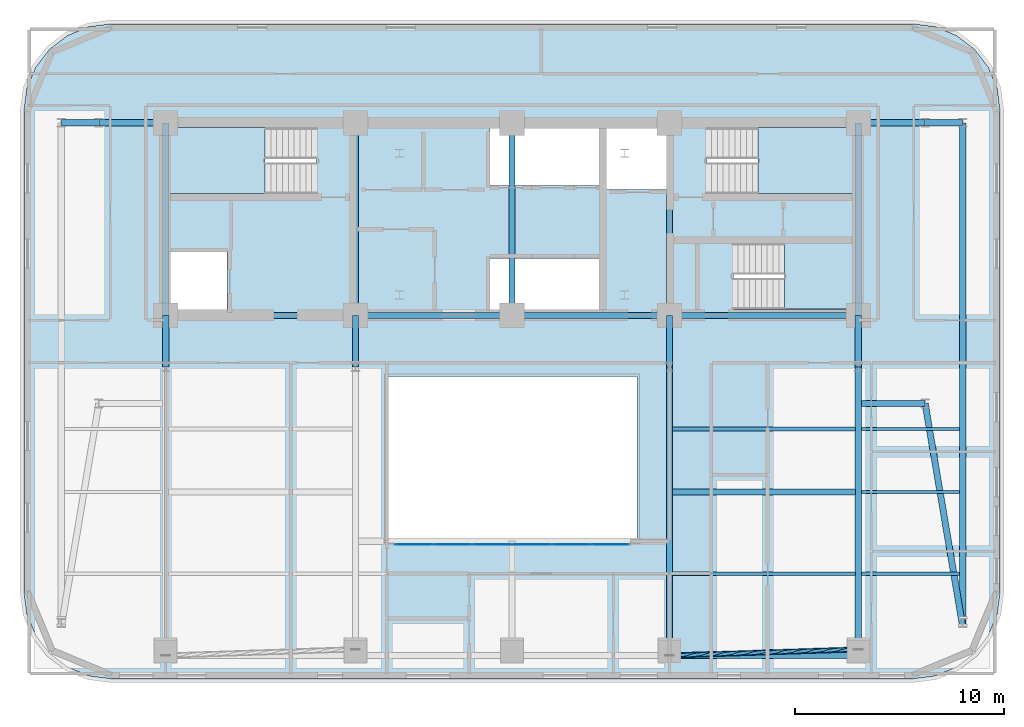
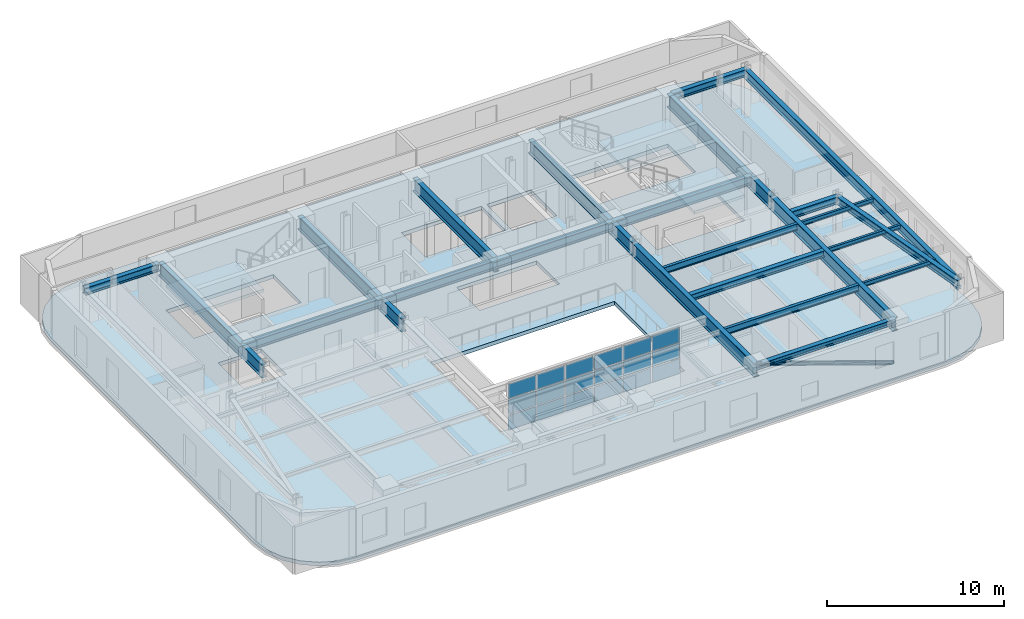
# One storey, part 3 of 12: 29 beams, 18 plates, 4 slabs, 1 member, 4 elements without a shape of their own.
"""IFC4 building model written with IfcOpenShell, lengths in metres."""

from ifc_helpers import new_model, si_unit, direction, frame, origin, origin_2d, place, context, subcontext, project, spatial, polyline, rectangle, hollow_circle, i_section, outline, extrude, material, layer, layer_set, material_profile, profile_set, type_object, element, aggregate, save


model = new_model("IFC4")

# Units and contexts
model_context = context("Model", 3, precision=1e-05, world=origin(), true_north=direction((0.0, 1.0)))
body_context = subcontext(model_context, "Body", "Model", "MODEL_VIEW")
ifc_project = project(units=[si_unit("LENGTHUNIT", "METRE"), si_unit("AREAUNIT", "SQUARE_METRE"), si_unit("VOLUMEUNIT", "CUBIC_METRE"), si_unit("PLANEANGLEUNIT", "RADIAN"), si_unit("MASSUNIT", "GRAM", prefix="KILO")], contexts=[model_context])

# Site, building, storey
site_placement = place(None, origin())
site = spatial("IfcSite", under=ifc_project, at=site_placement, CompositionType="ELEMENT")
building_placement = place(site_placement, origin())
building = spatial("IfcBuilding", under=site, at=building_placement, Name="Zarnavel Station Tower", CompositionType="ELEMENT")
storey_placement = place(building_placement, frame((0.0, 0.0, 159.0)))
storey = spatial("IfcBuildingStorey", under=building, at=storey_placement, Name="L43", CompositionType="ELEMENT", Elevation=159.0)

# Member
ifc_material_1 = material(Name="Steel S355J2", Category="steel")
ifc_material_profile_1 = material_profile(ifc_material_1, hollow_circle(Radius=0.122314453125, WallThickness=0.010009765625, at=origin_2d()), Name="CHS244.5x10")
ifc_profile_set_1 = profile_set([ifc_material_profile_1], Name="Steel S355J2")
member_type = type_object("IfcMemberType", Name="DB_EXT_CHS245", PredefinedType="BRACE", material=ifc_profile_set_1)
member_placement = place(storey_placement, frame((45.39990234375, 11.8193359375, 0.0), z_axis=(-0.939370056938, -0.030942344867, 0.341506174795), x_axis=(0.032921607344, -0.999457936969, 0.0)))
element("IfcMember", 1, at=member_placement, inside=storey, type_object=member_type, Name="L43 Persian Exterior Diagonal Frame Brace 2", PredefinedType="BRACE", context=body_context, shape_type="SweptSolid", body=[
    extrude(hollow_circle(Radius=0.122314453125, WallThickness=0.010009765625, at=origin_2d()), origin(), (0.0, 0.0, 1.0), 9.6337890625),
])

# Beams
ifc_material_2 = material(Name="Steel S355J2", Category="steel")
ifc_material_profile_2 = material_profile(ifc_material_2, i_section(OverallWidth=0.300048828125, OverallDepth=0.360107421875, WebThickness=0.012451171875, FlangeThickness=0.0224609375, FilletRadius=0.027099609375, at=origin_2d()), Name="HEB360")
ifc_profile_set_2 = profile_set([ifc_material_profile_2], Name="Steel S355J2")
beam_type_1 = type_object("IfcBeamType", Name="EB_HEB360", PredefinedType="SPANDREL", material=ifc_profile_set_2)
beam_1_placement = place(storey_placement, frame((36.35009765625, 11.521240234375, 3.110107421875), z_axis=(1.0, 0.0, 0.0), x_axis=(0.0, 1.0, 0.0)))
element("IfcBeam", 2, at=beam_1_placement, inside=storey, type_object=beam_type_1, Name="L43 South Raked Spandrel 4", PredefinedType="SPANDREL", context=body_context, shape_type="SweptSolid", body=[
    extrude(i_section(OverallWidth=0.300048828125, OverallDepth=0.360107421875, WebThickness=0.012451171875, FlangeThickness=0.0224609375, FilletRadius=0.027099609375, at=origin_2d()), origin(), (0.0, 0.0, 1.0), 9.0498046875),
])
ifc_material_3 = material(Name="Steel S355J2", Category="steel")
ifc_material_profile_3 = material_profile(ifc_material_3, i_section(OverallWidth=0.300048828125, OverallDepth=0.43994140625, WebThickness=0.011474609375, FlangeThickness=0.02099609375, FilletRadius=0.027099609375, at=origin_2d()), Name="HEA450")
ifc_profile_set_3 = profile_set([ifc_material_profile_3], Name="Steel S355J2")
beam_type_2 = type_object("IfcBeamType", Name="FB_HEA450", PredefinedType="BEAM", material=ifc_profile_set_3)
beam_2_placement = place(storey_placement, frame((36.4951171875, 19.360595703125, 3.070068359375), z_axis=(1.0, 0.0, 0.0), x_axis=(0.0, 1.0, 0.0)))
element("IfcBeam", 3, at=beam_2_placement, inside=storey, type_object=beam_type_2, Name="L43 East Bay Beam 2", PredefinedType="BEAM", context=body_context, shape_type="SweptSolid", body=[
    extrude(i_section(OverallWidth=0.300048828125, OverallDepth=0.43994140625, WebThickness=0.011474609375, FlangeThickness=0.02099609375, FilletRadius=0.027099609375, at=origin_2d()), origin(), (0.0, 0.0, 1.0), 8.759765625),
])
ifc_material_4 = material(Name="Steel S355J2", Category="steel")
ifc_material_profile_4 = material_profile(ifc_material_4, i_section(OverallWidth=0.18994140625, OverallDepth=0.449951171875, WebThickness=0.009521484375, FlangeThickness=0.0146484375, FilletRadius=0.02099609375, at=origin_2d()), Name="IPE450")
ifc_profile_set_4 = profile_set([ifc_material_profile_4], Name="Steel S355J2")
beam_type_3 = type_object("IfcBeamType", Name="FB_IPE450", PredefinedType="BEAM", material=ifc_profile_set_4)
for number, where, z_axis, x_axis, name in (
    (4, (36.4951171875, 15.44091796875, 3.06494140625), (1.0, 0.0, 0.0), (0.0, 1.0, 0.0), "L43 East Bay Beam 1"),
    (5, (36.4951171875, 22.38037109375, 3.06494140625), (1.0, 0.0, 0.0), (0.0, 1.0, 0.0), "L43 East Bay Beam 3"),
):
    element("IfcBeam", number, at=place(storey_placement, frame(where, z_axis=z_axis, x_axis=x_axis)), inside=storey, type_object=beam_type_3, Name=name, PredefinedType="BEAM", context=body_context, shape_type="SweptSolid", body=[
        extrude(i_section(OverallWidth=0.18994140625, OverallDepth=0.449951171875, WebThickness=0.009521484375, FlangeThickness=0.0146484375, FilletRadius=0.02099609375, at=origin_2d()), origin(), (0.0, 0.0, 1.0), 8.759765625),
    ])
ifc_material_5 = material(Name="Steel S355J2", Category="steel")
ifc_material_profile_5 = material_profile(ifc_material_5, i_section(OverallWidth=0.300048828125, OverallDepth=0.5, WebThickness=0.014404296875, FlangeThickness=0.028076171875, FilletRadius=0.027099609375, at=origin_2d()), Name="HEB500")
ifc_profile_set_5 = profile_set([ifc_material_profile_5], Name="Steel S355J2")
beam_type_4 = type_object("IfcBeamType", Name="FG_HEB500", PredefinedType="USERDEFINED", material=ifc_profile_set_5)
beam_3_placement = place(storey_placement, frame((7.199951171875, 37.050048828125, 3.0400390625), z_axis=(1.0, 0.0, 0.0), x_axis=(0.0, 1.0, 0.0)))
element("IfcBeam", 6, at=beam_3_placement, inside=storey, type_object=beam_type_4, Name="L43 West Wing North Tie 1", ObjectType="GIRDER", PredefinedType="USERDEFINED", context=body_context, shape_type="SweptSolid", body=[
    extrude(i_section(OverallWidth=0.300048828125, OverallDepth=0.5, WebThickness=0.014404296875, FlangeThickness=0.028076171875, FilletRadius=0.027099609375, at=origin_2d()), origin(), (0.0, 0.0, 1.0), 1.800048828125),
])
beam_4_placement = place(storey_placement, frame((9.0, 37.050048828125, 3.0400390625), z_axis=(1.0, 0.0, 0.0), x_axis=(0.0, 1.0, 0.0)))
element("IfcBeam", 7, at=beam_4_placement, inside=storey, type_object=beam_type_4, Name="L43 West Wing North Tie 2", ObjectType="GIRDER", PredefinedType="USERDEFINED", context=body_context, shape_type="SweptSolid", body=[
    extrude(i_section(OverallWidth=0.300048828125, OverallDepth=0.5, WebThickness=0.014404296875, FlangeThickness=0.028076171875, FilletRadius=0.027099609375, at=origin_2d()), origin(), (0.0, 0.0, 1.0), 3.054931640625),
])
for number, where, z_axis, x_axis, name in (
    (8, (45.544921875, 23.60009765625, 3.0400390625), (1.0, 0.0, 0.0), (0.0, 1.0, 0.0), "L43 East Wing South Tie 1"),
    (9, (45.544921875, 37.050048828125, 3.0400390625), (1.0, 0.0, 0.0), (0.0, 1.0, 0.0), "L43 East Wing North Tie 1"),
):
    element("IfcBeam", number, at=place(storey_placement, frame(where, z_axis=z_axis, x_axis=x_axis)), inside=storey, type_object=beam_type_4, Name=name, ObjectType="GIRDER", PredefinedType="USERDEFINED", context=body_context, shape_type="SweptSolid", body=[
        extrude(i_section(OverallWidth=0.300048828125, OverallDepth=0.5, WebThickness=0.014404296875, FlangeThickness=0.028076171875, FilletRadius=0.027099609375, at=origin_2d()), origin(), (0.0, 0.0, 1.0), 3.05517578125),
    ])
beam_5_placement = place(storey_placement, frame((48.60009765625, 23.60009765625, 3.0400390625), z_axis=(0.16613091372, -0.986103706263, 0.0), x_axis=(0.986103706263, 0.16613091372, 0.0)))
element("IfcBeam", 10, at=beam_5_placement, inside=storey, type_object=beam_type_4, Name="L43 East Wing South Tie 2", ObjectType="GIRDER", PredefinedType="USERDEFINED", context=body_context, shape_type="SweptSolid", body=[
    extrude(i_section(OverallWidth=0.300048828125, OverallDepth=0.5, WebThickness=0.014404296875, FlangeThickness=0.028076171875, FilletRadius=0.027099609375, at=origin_2d()), origin(), (0.0, 0.0, 1.0), 10.833740234375),
])
beam_6_placement = place(storey_placement, frame((48.60009765625, 37.050048828125, 3.0400390625), z_axis=(1.0, 0.0, 0.0), x_axis=(0.0, 1.0, 0.0)))
element("IfcBeam", 11, at=beam_6_placement, inside=storey, type_object=beam_type_4, Name="L43 East Wing North Tie 2", ObjectType="GIRDER", PredefinedType="USERDEFINED", context=body_context, shape_type="SweptSolid", body=[
    extrude(i_section(OverallWidth=0.300048828125, OverallDepth=0.5, WebThickness=0.014404296875, FlangeThickness=0.028076171875, FilletRadius=0.027099609375, at=origin_2d()), origin(), (0.0, 0.0, 1.0), 1.7998046875),
])
ifc_material_6 = material(Name="Steel S355J2", Category="steel")
ifc_material_profile_6 = material_profile(ifc_material_6, i_section(OverallWidth=0.300048828125, OverallDepth=0.60009765625, WebThickness=0.015380859375, FlangeThickness=0.030029296875, FilletRadius=0.027099609375, at=origin_2d()), Name="HEB600")
ifc_profile_set_6 = profile_set([ifc_material_profile_6], Name="Steel S355J2")
beam_type_5 = type_object("IfcBeamType", Name="FG_HEB600", PredefinedType="USERDEFINED", material=ifc_profile_set_6)
beam_7_placement = place(storey_placement, frame((12.199951171875, 27.820068359375, 2.989990234375), z_axis=(1.0, 0.0, 0.0), x_axis=(0.0, 1.0, 0.0)))
element("IfcBeam", 12, at=beam_7_placement, inside=storey, type_object=beam_type_5, Name="L43 Core Front Coupling Beam 1", ObjectType="GIRDER", PredefinedType="USERDEFINED", context=body_context, shape_type="SweptSolid", body=[
    extrude(i_section(OverallWidth=0.300048828125, OverallDepth=0.60009765625, WebThickness=0.015380859375, FlangeThickness=0.030029296875, FilletRadius=0.027099609375, at=origin_2d()), origin(), (0.0, 0.0, 1.0), 9.10009765625),
])
beam_8_placement = place(storey_placement, frame((21.300048828125, 27.820068359375, 2.989990234375), z_axis=(1.0, 0.0, 0.0), x_axis=(0.0, 1.0, 0.0)))
element("IfcBeam", 13, at=beam_8_placement, inside=storey, type_object=beam_type_5, Name="L43 Core Front Coupling Beam 2", ObjectType="GIRDER", PredefinedType="USERDEFINED", context=body_context, shape_type="SweptSolid", body=[
    extrude(i_section(OverallWidth=0.300048828125, OverallDepth=0.60009765625, WebThickness=0.015380859375, FlangeThickness=0.030029296875, FilletRadius=0.027099609375, at=origin_2d()), origin(), (0.0, 0.0, 1.0), 7.5),
])
beam_9_placement = place(storey_placement, frame((28.800048828125, 27.820068359375, 2.989990234375), z_axis=(1.0, 0.0, 0.0), x_axis=(0.0, 1.0, 0.0)))
element("IfcBeam", 14, at=beam_9_placement, inside=storey, type_object=beam_type_5, Name="L43 Core Front Coupling Beam 3", ObjectType="GIRDER", PredefinedType="USERDEFINED", context=body_context, shape_type="SweptSolid", body=[
    extrude(i_section(OverallWidth=0.300048828125, OverallDepth=0.60009765625, WebThickness=0.015380859375, FlangeThickness=0.030029296875, FilletRadius=0.027099609375, at=origin_2d()), origin(), (0.0, 0.0, 1.0), 7.550048828125),
])
beam_10_placement = place(storey_placement, frame((36.35009765625, 27.820068359375, 2.989990234375), z_axis=(1.0, 0.0, 0.0), x_axis=(0.0, 1.0, 0.0)))
element("IfcBeam", 15, at=beam_10_placement, inside=storey, type_object=beam_type_5, Name="L43 Core Front Coupling Beam 4", ObjectType="GIRDER", PredefinedType="USERDEFINED", context=body_context, shape_type="SweptSolid", body=[
    extrude(i_section(OverallWidth=0.300048828125, OverallDepth=0.60009765625, WebThickness=0.015380859375, FlangeThickness=0.030029296875, FilletRadius=0.027099609375, at=origin_2d()), origin(), (0.0, 0.0, 1.0), 9.0498046875),
])
ifc_material_7 = material(Name="Steel S355J2", Category="steel")
ifc_material_profile_7 = material_profile(ifc_material_7, i_section(OverallWidth=0.300048828125, OverallDepth=0.64990234375, WebThickness=0.01611328125, FlangeThickness=0.031005859375, FilletRadius=0.027099609375, at=origin_2d()), Name="HEB650")
ifc_profile_set_7 = profile_set([ifc_material_profile_7], Name="Steel S355J2")
beam_type_6 = type_object("IfcBeamType", Name="FG_HEB650", PredefinedType="USERDEFINED", material=ifc_profile_set_7)
beam_11_placement = place(storey_placement, frame((50.39990234375, 12.9169921875, 2.965087890625), z_axis=(0.0, 1.0, 0.0), x_axis=(-1.0, 0.0, 0.0)))
element("IfcBeam", 16, at=beam_11_placement, inside=storey, type_object=beam_type_6, Name="L43 Wing NS Girder 2", ObjectType="GIRDER", PredefinedType="USERDEFINED", context=body_context, shape_type="SweptSolid", body=[
    extrude(i_section(OverallWidth=0.300048828125, OverallDepth=0.64990234375, WebThickness=0.01611328125, FlangeThickness=0.031005859375, FilletRadius=0.027099609375, at=origin_2d()), origin(), (0.0, 0.0, 1.0), 24.133056640625),
])
ifc_material_8 = material(Name="Steel S355J2", Category="steel")
ifc_material_profile_8 = material_profile(ifc_material_8, i_section(OverallWidth=0.14990234375, OverallDepth=0.300048828125, WebThickness=0.007080078125, FlangeThickness=0.0107421875, FilletRadius=0.014892578125, at=origin_2d()), Name="IPE300")
ifc_profile_set_8 = profile_set([ifc_material_profile_8], Name="Steel S355J2")
beam_type_7 = type_object("IfcBeamType", Name="FJ_IPE300", PredefinedType="JOIST", material=ifc_profile_set_8)
for number, where, z_axis, x_axis, name in (
    (17, (45.544921875, 15.44091796875, 3.139892578125), (1.0, 0.0, 0.0), (0.0, 1.0, 0.0), "L43 East Wing Joist 1"),
    (18, (45.544921875, 19.360595703125, 3.139892578125), (1.0, 0.0, 0.0), (0.0, 1.0, 0.0), "L43 East Wing Joist 2"),
    (19, (45.544921875, 22.38037109375, 3.139892578125), (1.0, 0.0, 0.0), (0.0, 1.0, 0.0), "L43 East Wing Joist 3"),
):
    element("IfcBeam", number, at=place(storey_placement, frame(where, z_axis=z_axis, x_axis=x_axis)), inside=storey, type_object=beam_type_7, Name=name, PredefinedType="JOIST", context=body_context, shape_type="SweptSolid", body=[
        extrude(i_section(OverallWidth=0.14990234375, OverallDepth=0.300048828125, WebThickness=0.007080078125, FlangeThickness=0.0107421875, FilletRadius=0.014892578125, at=origin_2d()), origin(), (0.0, 0.0, 1.0), 4.7099609375),
    ])
ifc_material_9 = material(Name="Steel S460M", Category="steel")
ifc_material_profile_9 = material_profile(ifc_material_9, i_section(OverallWidth=0.302001953125, OverallDepth=0.909912109375, WebThickness=0.02099609375, FlangeThickness=0.0400390625, FilletRadius=0.030029296875, at=origin_2d()), Name="HEM900")
ifc_profile_set_9 = profile_set([ifc_material_profile_9], Name="Steel S460M")
beam_type_8 = type_object("IfcBeamType", Name="TG_HEM900", PredefinedType="USERDEFINED", material=ifc_profile_set_9)
for number, where, z_axis, x_axis, name in (
    (20, (12.199951171875, 27.820068359375, 2.8349609375), (0.0, 1.0, 0.0), (-1.0, 0.0, 0.0), "L43 Core Spine Coupling Girder 1"),
    (21, (21.300048828125, 27.820068359375, 2.8349609375), (0.0, 1.0, 0.0), (-1.0, 0.0, 0.0), "L43 Core Spine Coupling Girder 2"),
    (22, (28.800048828125, 27.820068359375, 2.8349609375), (0.0, 1.0, 0.0), (-1.0, 0.0, 0.0), "L43 Core Spine Coupling Girder 3"),
    (23, (36.35009765625, 27.820068359375, 2.8349609375), (0.0, 1.0, 0.0), (-1.0, 0.0, 0.0), "L43 Core Spine Coupling Girder 4"),
    (24, (45.39990234375, 27.820068359375, 2.8349609375), (0.0, 1.0, 0.0), (-1.0, 0.0, 0.0), "L43 Core Spine Coupling Girder 5"),
):
    element("IfcBeam", number, at=place(storey_placement, frame(where, z_axis=z_axis, x_axis=x_axis)), inside=storey, type_object=beam_type_8, Name=name, ObjectType="GIRDER", PredefinedType="USERDEFINED", context=body_context, shape_type="SweptSolid", body=[
        extrude(i_section(OverallWidth=0.302001953125, OverallDepth=0.909912109375, WebThickness=0.02099609375, FlangeThickness=0.0400390625, FilletRadius=0.030029296875, at=origin_2d()), origin(), (0.0, 0.0, 1.0), 9.22998046875),
    ])
for number, where, z_axis, x_axis, name in (
    (25, (12.199951171875, 25.35009765625, 2.8349609375), (0.0, 1.0, 0.0), (-1.0, 0.0, 0.0), "L43 Inner-Zone NS Girder 1"),
    (26, (21.300048828125, 25.35009765625, 2.8349609375), (0.0, 1.0, 0.0), (-1.0, 0.0, 0.0), "L43 Inner-Zone NS Girder 2"),
):
    element("IfcBeam", number, at=place(storey_placement, frame(where, z_axis=z_axis, x_axis=x_axis)), inside=storey, type_object=beam_type_8, Name=name, ObjectType="GIRDER", PredefinedType="USERDEFINED", context=body_context, shape_type="SweptSolid", body=[
        extrude(i_section(OverallWidth=0.302001953125, OverallDepth=0.909912109375, WebThickness=0.02099609375, FlangeThickness=0.0400390625, FilletRadius=0.030029296875, at=origin_2d()), origin(), (0.0, 0.0, 1.0), 2.469970703125),
    ])
beam_12_placement = place(storey_placement, frame((36.35009765625, 11.521240234375, 2.8349609375), z_axis=(0.0, 1.0, 0.0), x_axis=(-1.0, 0.0, 0.0)))
element("IfcBeam", 27, at=beam_12_placement, inside=storey, type_object=beam_type_8, Name="L43 South-Zone NS Girder 4", ObjectType="GIRDER", PredefinedType="USERDEFINED", context=body_context, shape_type="SweptSolid", body=[
    extrude(i_section(OverallWidth=0.302001953125, OverallDepth=0.909912109375, WebThickness=0.02099609375, FlangeThickness=0.0400390625, FilletRadius=0.030029296875, at=origin_2d()), origin(), (0.0, 0.0, 1.0), 13.828857421875),
])
beam_13_placement = place(storey_placement, frame((36.35009765625, 25.35009765625, 2.8349609375), z_axis=(0.0, 1.0, 0.0), x_axis=(-1.0, 0.0, 0.0)))
element("IfcBeam", 28, at=beam_13_placement, inside=storey, type_object=beam_type_8, Name="L43 Inner-Zone NS Girder 4", ObjectType="GIRDER", PredefinedType="USERDEFINED", context=body_context, shape_type="SweptSolid", body=[
    extrude(i_section(OverallWidth=0.302001953125, OverallDepth=0.909912109375, WebThickness=0.02099609375, FlangeThickness=0.0400390625, FilletRadius=0.030029296875, at=origin_2d()), origin(), (0.0, 0.0, 1.0), 2.469970703125),
])
beam_14_placement = place(storey_placement, frame((45.39990234375, 11.521240234375, 2.8349609375), z_axis=(0.0, 1.0, 0.0), x_axis=(-1.0, 0.0, 0.0)))
element("IfcBeam", 29, at=beam_14_placement, inside=storey, type_object=beam_type_8, Name="L43 South-Zone NS Girder 5", ObjectType="GIRDER", PredefinedType="USERDEFINED", context=body_context, shape_type="SweptSolid", body=[
    extrude(i_section(OverallWidth=0.302001953125, OverallDepth=0.909912109375, WebThickness=0.02099609375, FlangeThickness=0.0400390625, FilletRadius=0.030029296875, at=origin_2d()), origin(), (0.0, 0.0, 1.0), 13.828857421875),
])
beam_15_placement = place(storey_placement, frame((45.39990234375, 25.35009765625, 2.8349609375), z_axis=(0.0, 1.0, 0.0), x_axis=(-1.0, 0.0, 0.0)))
element("IfcBeam", 30, at=beam_15_placement, inside=storey, type_object=beam_type_8, Name="L43 Inner-Zone NS Girder 5", ObjectType="GIRDER", PredefinedType="USERDEFINED", context=body_context, shape_type="SweptSolid", body=[
    extrude(i_section(OverallWidth=0.302001953125, OverallDepth=0.909912109375, WebThickness=0.02099609375, FlangeThickness=0.0400390625, FilletRadius=0.030029296875, at=origin_2d()), origin(), (0.0, 0.0, 1.0), 2.469970703125),
])

# Curtain wall, plates
ifc_material_10 = material(Name="Aluminium Dark Anodised and Solar-Control Glass", Category="aluminium")
ifc_layer_1 = layer(ifc_material_10, 0.179931640625)
ifc_layer_set_1 = layer_set([ifc_layer_1], Name="CWS4")
curtain_wall_type = type_object("IfcCurtainWallType", Name="CWS4", PredefinedType="NOTDEFINED", material=ifc_layer_set_1)
curtain_wall_placement = place(storey_placement, origin())
curtain_wall = element("IfcCurtainWall", 31, at=curtain_wall_placement, inside=storey, type_object=curtain_wall_type, Name="L43 Curtain Wall CWS4-L43-AS", PredefinedType="NOTDEFINED")
ifc_material_11 = material(Name="Double Low-E Dark Solar-Control Glass", Category="glass")
ifc_layer_2 = layer(ifc_material_11, 0.031982421875)
ifc_layer_set_2 = layer_set([ifc_layer_2], Name="CWS4_PNL")
plate_type = type_object("IfcPlateType", Name="CWS4_PNL", PredefinedType="CURTAIN_PANEL", material=ifc_layer_set_2)
plate_1_placement = place(storey_placement, frame((24.106689453125, 16.85009765625, 0.06005859375), z_axis=(0.0, 0.0, 1.0), x_axis=(1.0, 0.0, 0.0)))
plate_1 = element("IfcPlate", 32, at=plate_1_placement, type_object=plate_type, Name="CW4 panel 1.1", PredefinedType="CURTAIN_PANEL", context=body_context, shape_type="SweptSolid", body=[
    extrude(rectangle(XDim=1.793212890625, YDim=0.028076171875, at=origin_2d()), origin(), (0.0, 0.0, 1.0), 1.006591796875),
])
plate_2_placement = place(storey_placement, frame((24.106689453125, 16.85009765625, 1.126708984375), z_axis=(0.0, 0.0, 1.0), x_axis=(1.0, 0.0, 0.0)))
plate_2 = element("IfcPlate", 33, at=plate_2_placement, type_object=plate_type, Name="CW4 panel 1.2", PredefinedType="CURTAIN_PANEL", context=body_context, shape_type="SweptSolid", body=[
    extrude(rectangle(XDim=1.793212890625, YDim=0.028076171875, at=origin_2d()), origin(), (0.0, 0.0, 1.0), 1.03662109375),
])
plate_3_placement = place(storey_placement, frame((24.106689453125, 16.85009765625, 2.22314453125), z_axis=(0.0, 0.0, 1.0), x_axis=(1.0, 0.0, 0.0)))
plate_3 = element("IfcPlate", 34, at=plate_3_placement, type_object=plate_type, Name="CW4 panel 1.3", PredefinedType="CURTAIN_PANEL", context=body_context, shape_type="SweptSolid", body=[
    extrude(rectangle(XDim=1.793212890625, YDim=0.028076171875, at=origin_2d()), origin(), (0.0, 0.0, 1.0), 1.006591796875),
])
plate_4_placement = place(storey_placement, frame((25.97509765625, 16.85009765625, 0.06005859375), z_axis=(0.0, 0.0, 1.0), x_axis=(1.0, 0.0, 0.0)))
plate_4 = element("IfcPlate", 35, at=plate_4_placement, type_object=plate_type, Name="CW4 panel 2.1", PredefinedType="CURTAIN_PANEL", context=body_context, shape_type="SweptSolid", body=[
    extrude(rectangle(XDim=1.8232421875, YDim=0.028076171875, at=origin_2d()), origin(), (0.0, 0.0, 1.0), 1.006591796875),
])
plate_5_placement = place(storey_placement, frame((25.97509765625, 16.85009765625, 1.126708984375), z_axis=(0.0, 0.0, 1.0), x_axis=(1.0, 0.0, 0.0)))
plate_5 = element("IfcPlate", 36, at=plate_5_placement, type_object=plate_type, Name="CW4 panel 2.2", PredefinedType="CURTAIN_PANEL", context=body_context, shape_type="SweptSolid", body=[
    extrude(rectangle(XDim=1.8232421875, YDim=0.028076171875, at=origin_2d()), origin(), (0.0, 0.0, 1.0), 1.03662109375),
])
plate_6_placement = place(storey_placement, frame((25.97509765625, 16.85009765625, 2.22314453125), z_axis=(0.0, 0.0, 1.0), x_axis=(1.0, 0.0, 0.0)))
plate_6 = element("IfcPlate", 37, at=plate_6_placement, type_object=plate_type, Name="CW4 panel 2.3", PredefinedType="CURTAIN_PANEL", context=body_context, shape_type="SweptSolid", body=[
    extrude(rectangle(XDim=1.8232421875, YDim=0.028076171875, at=origin_2d()), origin(), (0.0, 0.0, 1.0), 1.006591796875),
])
plate_7_placement = place(storey_placement, frame((27.8583984375, 16.85009765625, 0.06005859375), z_axis=(0.0, 0.0, 1.0), x_axis=(1.0, 0.0, 0.0)))
plate_7 = element("IfcPlate", 38, at=plate_7_placement, type_object=plate_type, Name="CW4 panel 3.1", PredefinedType="CURTAIN_PANEL", context=body_context, shape_type="SweptSolid", body=[
    extrude(rectangle(XDim=1.8232421875, YDim=0.028076171875, at=origin_2d()), origin(), (0.0, 0.0, 1.0), 1.006591796875),
])
plate_8_placement = place(storey_placement, frame((27.8583984375, 16.85009765625, 1.126708984375), z_axis=(0.0, 0.0, 1.0), x_axis=(1.0, 0.0, 0.0)))
plate_8 = element("IfcPlate", 39, at=plate_8_placement, type_object=plate_type, Name="CW4 panel 3.2", PredefinedType="CURTAIN_PANEL", context=body_context, shape_type="SweptSolid", body=[
    extrude(rectangle(XDim=1.8232421875, YDim=0.028076171875, at=origin_2d()), origin(), (0.0, 0.0, 1.0), 1.03662109375),
])
plate_9_placement = place(storey_placement, frame((27.8583984375, 16.85009765625, 2.22314453125), z_axis=(0.0, 0.0, 1.0), x_axis=(1.0, 0.0, 0.0)))
plate_9 = element("IfcPlate", 40, at=plate_9_placement, type_object=plate_type, Name="CW4 panel 3.3", PredefinedType="CURTAIN_PANEL", context=body_context, shape_type="SweptSolid", body=[
    extrude(rectangle(XDim=1.8232421875, YDim=0.028076171875, at=origin_2d()), origin(), (0.0, 0.0, 1.0), 1.006591796875),
])
plate_10_placement = place(storey_placement, frame((29.74169921875, 16.85009765625, 0.06005859375), z_axis=(0.0, 0.0, 1.0), x_axis=(1.0, 0.0, 0.0)))
plate_10 = element("IfcPlate", 41, at=plate_10_placement, type_object=plate_type, Name="CW4 panel 4.1", PredefinedType="CURTAIN_PANEL", context=body_context, shape_type="SweptSolid", body=[
    extrude(rectangle(XDim=1.8232421875, YDim=0.028076171875, at=origin_2d()), origin(), (0.0, 0.0, 1.0), 1.006591796875),
])
plate_11_placement = place(storey_placement, frame((29.74169921875, 16.85009765625, 1.126708984375), z_axis=(0.0, 0.0, 1.0), x_axis=(1.0, 0.0, 0.0)))
plate_11 = element("IfcPlate", 42, at=plate_11_placement, type_object=plate_type, Name="CW4 panel 4.2", PredefinedType="CURTAIN_PANEL", context=body_context, shape_type="SweptSolid", body=[
    extrude(rectangle(XDim=1.8232421875, YDim=0.028076171875, at=origin_2d()), origin(), (0.0, 0.0, 1.0), 1.03662109375),
])
plate_12_placement = place(storey_placement, frame((29.74169921875, 16.85009765625, 2.22314453125), z_axis=(0.0, 0.0, 1.0), x_axis=(1.0, 0.0, 0.0)))
plate_12 = element("IfcPlate", 43, at=plate_12_placement, type_object=plate_type, Name="CW4 panel 4.3", PredefinedType="CURTAIN_PANEL", context=body_context, shape_type="SweptSolid", body=[
    extrude(rectangle(XDim=1.8232421875, YDim=0.028076171875, at=origin_2d()), origin(), (0.0, 0.0, 1.0), 1.006591796875),
])
plate_13_placement = place(storey_placement, frame((31.625, 16.85009765625, 0.06005859375), z_axis=(0.0, 0.0, 1.0), x_axis=(1.0, 0.0, 0.0)))
plate_13 = element("IfcPlate", 44, at=plate_13_placement, type_object=plate_type, Name="CW4 panel 5.1", PredefinedType="CURTAIN_PANEL", context=body_context, shape_type="SweptSolid", body=[
    extrude(rectangle(XDim=1.8232421875, YDim=0.028076171875, at=origin_2d()), origin(), (0.0, 0.0, 1.0), 1.006591796875),
])
plate_14_placement = place(storey_placement, frame((31.625, 16.85009765625, 1.126708984375), z_axis=(0.0, 0.0, 1.0), x_axis=(1.0, 0.0, 0.0)))
plate_14 = element("IfcPlate", 45, at=plate_14_placement, type_object=plate_type, Name="CW4 panel 5.2", PredefinedType="CURTAIN_PANEL", context=body_context, shape_type="SweptSolid", body=[
    extrude(rectangle(XDim=1.8232421875, YDim=0.028076171875, at=origin_2d()), origin(), (0.0, 0.0, 1.0), 1.03662109375),
])
plate_15_placement = place(storey_placement, frame((31.625, 16.85009765625, 2.22314453125), z_axis=(0.0, 0.0, 1.0), x_axis=(1.0, 0.0, 0.0)))
plate_15 = element("IfcPlate", 46, at=plate_15_placement, type_object=plate_type, Name="CW4 panel 5.3", PredefinedType="CURTAIN_PANEL", context=body_context, shape_type="SweptSolid", body=[
    extrude(rectangle(XDim=1.8232421875, YDim=0.028076171875, at=origin_2d()), origin(), (0.0, 0.0, 1.0), 1.006591796875),
])
plate_16_placement = place(storey_placement, frame((33.493408203125, 16.85009765625, 0.06005859375), z_axis=(0.0, 0.0, 1.0), x_axis=(1.0, 0.0, 0.0)))
plate_16 = element("IfcPlate", 47, at=plate_16_placement, type_object=plate_type, Name="CW4 panel 6.1", PredefinedType="CURTAIN_PANEL", context=body_context, shape_type="SweptSolid", body=[
    extrude(rectangle(XDim=1.793212890625, YDim=0.028076171875, at=origin_2d()), origin(), (0.0, 0.0, 1.0), 1.006591796875),
])
plate_17_placement = place(storey_placement, frame((33.493408203125, 16.85009765625, 1.126708984375), z_axis=(0.0, 0.0, 1.0), x_axis=(1.0, 0.0, 0.0)))
plate_17 = element("IfcPlate", 48, at=plate_17_placement, type_object=plate_type, Name="CW4 panel 6.2", PredefinedType="CURTAIN_PANEL", context=body_context, shape_type="SweptSolid", body=[
    extrude(rectangle(XDim=1.793212890625, YDim=0.028076171875, at=origin_2d()), origin(), (0.0, 0.0, 1.0), 1.03662109375),
])
plate_18_placement = place(storey_placement, frame((33.493408203125, 16.85009765625, 2.22314453125), z_axis=(0.0, 0.0, 1.0), x_axis=(1.0, 0.0, 0.0)))
plate_18 = element("IfcPlate", 49, at=plate_18_placement, type_object=plate_type, Name="CW4 panel 6.3", PredefinedType="CURTAIN_PANEL", context=body_context, shape_type="SweptSolid", body=[
    extrude(rectangle(XDim=1.793212890625, YDim=0.028076171875, at=origin_2d()), origin(), (0.0, 0.0, 1.0), 1.006591796875),
])
aggregate(curtain_wall, [plate_1, plate_2, plate_3, plate_4, plate_5, plate_6, plate_7, plate_8, plate_9, plate_10, plate_11, plate_12, plate_13, plate_14, plate_15, plate_16, plate_17, plate_18])

# Slab
ifc_material_12 = material(Name="Concrete C45/55", Category="concrete")
ifc_layer_3 = layer(ifc_material_12, 0.260009765625)
ifc_layer_set_3 = layer_set([ifc_layer_3], Name="SL_FLR_260")
slab_type_1 = type_object("IfcSlabType", Name="SL_FLR_260", PredefinedType="FLOOR", material=ifc_layer_set_3)
slab_1_placement = place(storey_placement, frame((0.0, 0.0, -0.260009765625)))
element("IfcSlab", 50, at=slab_1_placement, inside=storey, type_object=slab_type_1, Name="L43 Structural Floor Slab", PredefinedType="FLOOR", context=body_context, shape_type="SweptSolid", body=[
    extrude(outline(polyline([(48.0, 10.39990234375), (49.0869140625, 10.543212890625), (50.10009765625, 10.962646484375), (50.9697265625, 11.630126953125), (51.63720703125, 12.5), (52.056884765625, 13.512939453125), (52.199951171875, 14.60009765625), (52.199951171875, 37.60009765625), (52.056884765625, 38.68701171875), (51.63720703125, 39.699951171875), (50.9697265625, 40.56982421875), (50.10009765625, 41.2373046875), (49.0869140625, 41.656982421875), (48.0, 41.800048828125), (9.60009765625, 41.800048828125), (8.512939453125, 41.656982421875), (7.5, 41.2373046875), (6.630126953125, 40.56982421875), (5.962646484375, 39.699951171875), (5.543212890625, 38.68701171875), (5.39990234375, 37.60009765625), (5.39990234375, 14.60009765625), (5.543212890625, 13.512939453125), (5.962646484375, 12.5), (6.630126953125, 11.630126953125), (7.5, 10.962646484375), (8.512939453125, 10.543212890625), (9.60009765625, 10.39990234375), (48.0, 10.39990234375)]), holes=[polyline([(12.39990234375, 33.659912109375), (19.409912109375, 33.659912109375), (19.409912109375, 36.820068359375), (12.39990234375, 36.820068359375), (12.39990234375, 33.659912109375)]), polyline([(38.14990234375, 33.659912109375), (45.159912109375, 33.659912109375), (45.159912109375, 36.820068359375), (38.14990234375, 36.820068359375), (38.14990234375, 33.659912109375)]), polyline([(39.419921875, 28.1201171875), (45.14990234375, 28.1201171875), (45.14990234375, 31.280029296875), (39.419921875, 31.280029296875), (39.419921875, 28.1201171875)]), polyline([(12.35009765625, 27.949951171875), (15.14990234375, 27.949951171875), (15.14990234375, 30.85009765625), (12.35009765625, 30.85009765625), (12.35009765625, 27.949951171875)]), polyline([(33.320068359375, 33.85009765625), (36.2099609375, 33.85009765625), (36.2099609375, 36.780029296875), (33.320068359375, 36.780029296875), (33.320068359375, 33.85009765625)]), polyline([(27.75, 34.050048828125), (32.97998046875, 34.050048828125), (32.97998046875, 36.780029296875), (27.75, 36.780029296875), (27.75, 34.050048828125)]), polyline([(27.75, 27.949951171875), (32.97998046875, 27.949951171875), (32.97998046875, 30.550048828125), (27.75, 30.550048828125), (27.75, 27.949951171875)]), polyline([(22.800048828125, 17.0), (34.800048828125, 17.0), (34.800048828125, 24.89990234375), (22.800048828125, 24.89990234375), (22.800048828125, 17.0)])]), origin(), (0.0, 0.0, 1.0), 0.260009765625),
])

# Stair, slab
ifc_material_13 = material(Name="Concrete C45/55", Category="concrete")
stair_type = type_object("IfcStairType", Name="ST_CORE_150", PredefinedType="HALF_TURN_STAIR", material=ifc_material_13)
stair_1_placement = place(storey_placement, origin())
stair_1 = element("IfcStair", 51, at=stair_1_placement, inside=storey, type_object=stair_type, Name="L43 Core Exit Stair ST1", PredefinedType="HALF_TURN_STAIR")
ifc_material_14 = material(Name="Concrete C45/55", Category="concrete")
ifc_layer_4 = layer(ifc_material_14, 0.199951171875)
ifc_layer_set_4 = layer_set([ifc_layer_4], Name="SL_STAIR_LAND_200")
slab_type_2 = type_object("IfcSlabType", Name="SL_STAIR_LAND_200", PredefinedType="LANDING", material=ifc_layer_set_4)
slab_2_placement = place(storey_placement, frame((0.0, 0.0, 1.574951171875)))
slab_2 = element("IfcSlab", 52, at=slab_2_placement, type_object=slab_type_2, Name="ST1 landing 1", PredefinedType="LANDING", context=body_context, shape_type="SweptSolid", body=[
    extrude(outline(polyline([(16.9599609375, 36.820068359375), (12.39990234375, 36.820068359375), (12.39990234375, 33.659912109375), (16.9599609375, 33.659912109375), (16.9599609375, 36.820068359375)])), origin(), (0.0, 0.0, 1.0), 0.199951171875),
])
aggregate(stair_1, [slab_2])

stair_2_placement = place(storey_placement, origin())
stair_2 = element("IfcStair", 53, at=stair_2_placement, inside=storey, type_object=stair_type, Name="L43 Core Exit Stair ST2", PredefinedType="HALF_TURN_STAIR")
slab_3_placement = place(storey_placement, frame((0.0, 0.0, 1.574951171875)))
slab_3 = element("IfcSlab", 54, at=slab_3_placement, type_object=slab_type_2, Name="ST2 landing 1", PredefinedType="LANDING", context=body_context, shape_type="SweptSolid", body=[
    extrude(outline(polyline([(40.60009765625, 33.659912109375), (45.159912109375, 33.659912109375), (45.159912109375, 36.820068359375), (40.60009765625, 36.820068359375), (40.60009765625, 33.659912109375)])), origin(), (0.0, 0.0, 1.0), 0.199951171875),
])
aggregate(stair_2, [slab_3])

stair_3_placement = place(storey_placement, origin())
stair_3 = element("IfcStair", 55, at=stair_3_placement, inside=storey, type_object=stair_type, Name="L43 Core Exit Stair ST3", PredefinedType="HALF_TURN_STAIR")
slab_4_placement = place(storey_placement, frame((0.0, 0.0, 1.574951171875)))
slab_4 = element("IfcSlab", 56, at=slab_4_placement, type_object=slab_type_2, Name="ST3 landing 1", PredefinedType="LANDING", context=body_context, shape_type="SweptSolid", body=[
    extrude(outline(polyline([(41.8701171875, 28.1201171875), (45.14990234375, 28.1201171875), (45.14990234375, 31.280029296875), (41.8701171875, 31.280029296875), (41.8701171875, 28.1201171875)])), origin(), (0.0, 0.0, 1.0), 0.199951171875),
])
aggregate(stair_3, [slab_4])

save(model, "model.ifc")
